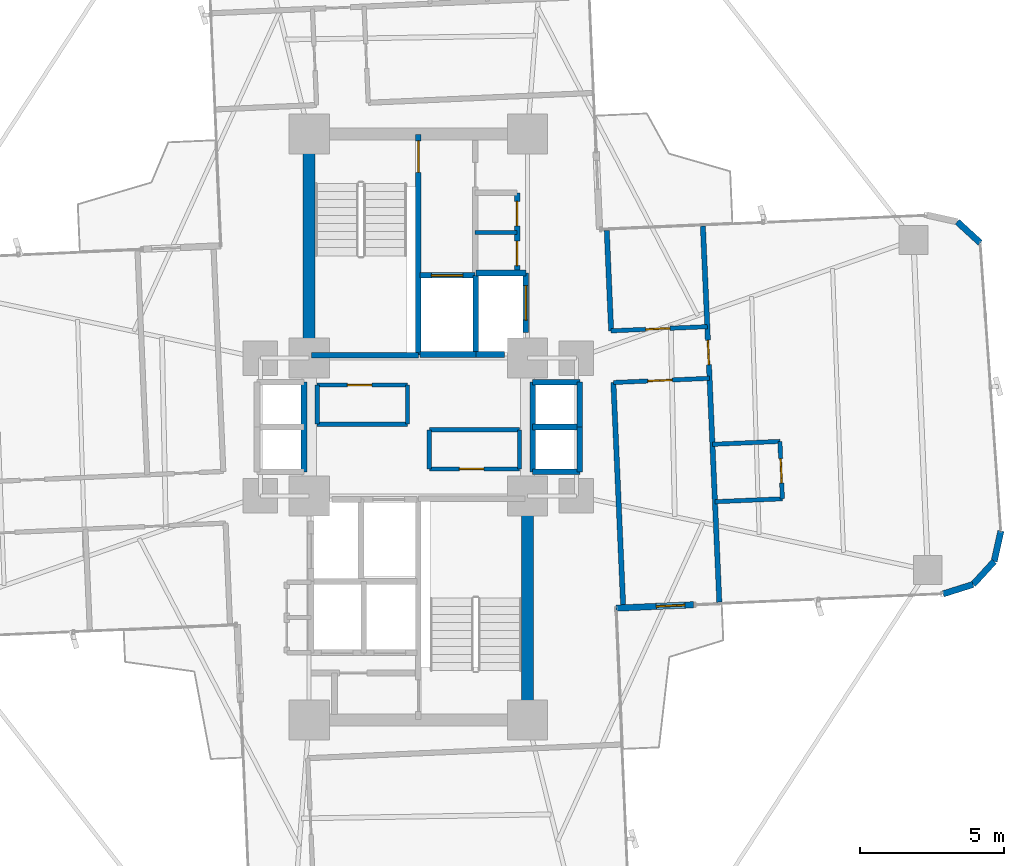
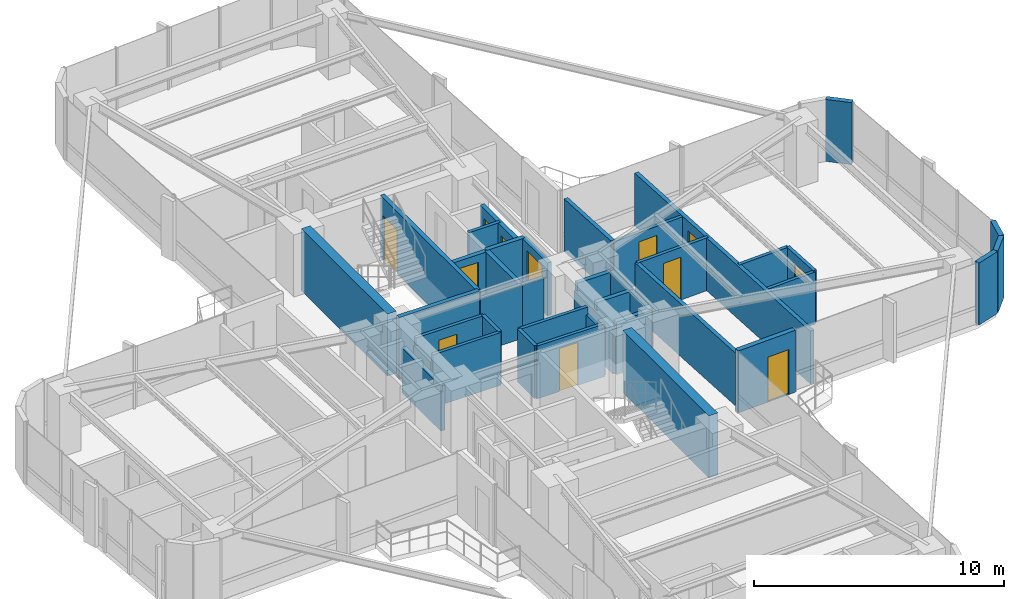
# One storey, part 24 of 26: 40 walls, 12 doors, 12 openings.
"""IFC4 building model written with IfcOpenShell, lengths in metres."""

from ifc_helpers import new_model, si_unit, direction, frame, frame_2d, origin, origin_2d, place, context, subcontext, project, spatial, rectangle, extrude, source, transform, mapped, material, layer, layer_set, type_object, element, fill, save


model = new_model("IFC4")

# Units and contexts
model_context = context("Model", 3, precision=1e-05, world=origin(), true_north=direction((0.0, 1.0)))
body_context = subcontext(model_context, "Body", "Model", "MODEL_VIEW")
ifc_project = project(units=[si_unit("LENGTHUNIT", "METRE"), si_unit("AREAUNIT", "SQUARE_METRE"), si_unit("VOLUMEUNIT", "CUBIC_METRE"), si_unit("PLANEANGLEUNIT", "RADIAN"), si_unit("MASSUNIT", "GRAM", prefix="KILO")], contexts=[model_context])

# Site, building, storey
site_placement = place(None, origin())
site = spatial("IfcSite", under=ifc_project, at=site_placement, CompositionType="ELEMENT")
building_placement = place(site_placement, origin())
building = spatial("IfcBuilding", under=site, at=building_placement, Name="Sahyath Konkavel Grand Hotel", CompositionType="ELEMENT")
storey_placement = place(building_placement, frame((0.0, 0.0, 134.89990234375)))
storey = spatial("IfcBuildingStorey", under=building, at=storey_placement, Name="L37", CompositionType="ELEMENT", Elevation=134.89990234375)

# Walls
ifc_material_1 = material(Name="Concrete C50/60", Category="concrete")
ifc_layer_1 = layer(ifc_material_1, 0.419921875)
ifc_layer_set_1 = layer_set([ifc_layer_1], Name="Concrete C50/60")
wall_type_1 = type_object("IfcWallType", Name="CWALL-420", PredefinedType="SHEAR", material=ifc_layer_set_1)
for number, where, z_axis, x_axis, name in (
    (1, (-3.800048828125, 2.85009765625, 0.0), (0.0, 0.0, 1.0), (0.0, 1.0, 0.0), "L37 North Core Shear Wall W"),
    (2, (3.800048828125, -9.75, 0.0), (0.0, 0.0, 1.0), (0.0, 1.0, 0.0), "L37 South Core Shear Wall E"),
):
    element("IfcWall", number, at=place(storey_placement, frame(where, z_axis=z_axis, x_axis=x_axis)), inside=storey, type_object=wall_type_1, Name=name, PredefinedType="SHEAR", context=body_context, shape_type="SweptSolid", body=[
        extrude(rectangle(XDim=6.89990234375, YDim=0.419921875, at=frame_2d((3.449951171875, 0.0))), origin(), (0.0, 0.0, 1.0), 3.030029296875),
    ])

# Wall, opening, door
ifc_material_2 = material(Name="Warm Buff Sandstone Insulated Concrete C40/50", Category="masonry")
ifc_layer_2 = layer(ifc_material_2, 0.219970703125)
ifc_layer_set_2 = layer_set([ifc_layer_2], Name="Warm Buff Sandstone Insulated Concrete C40/50")
wall_type_2 = type_object("IfcWallType", Name="WLL-BALC-THRESH", PredefinedType="STANDARD", material=ifc_layer_set_2)
wall_1_placement = place(storey_placement, frame((6.881591796875, -6.305908203125, 0.0), z_axis=(0.0, 0.0, 1.0), x_axis=(0.999045894436, 0.043672655174, 0.0)))
wall_1 = element("IfcWall", 3, at=wall_1_placement, inside=storey, type_object=wall_type_2, Name="L37 Winter-Garden Threshold Wall 0", PredefinedType="STANDARD", context=body_context, shape_type="SweptSolid", body=[
    extrude(rectangle(XDim=2.7001953125, YDim=0.219970703125, at=frame_2d((1.35009765625, 0.0))), origin(), (0.0, 0.0, 1.0), 3.030029296875),
])
opening_1_placement = place(wall_1_placement, frame((1.39990234375, 0.0, 0.0)))
opening_1 = element("IfcOpeningElement", 4, at=opening_1_placement, cuts=wall_1, Name="Opening D-TR1", PredefinedType="OPENING", context=body_context, shape_type="SweptSolid", body=[
    extrude(rectangle(XDim=1.0, YDim=2.199951171875, at=frame_2d((0.5, 1.10009765625))), frame((0.0, 0.1201171875, 0.0), z_axis=(0.0, -1.0, 0.0), x_axis=(1.0, 0.0, 0.0)), (0.0, 0.0, 1.0), 0.239990234375),
])
ifc_material_3 = material(Name="Anodised Bronze Aluminium & Low-E Glazing", Category="aluminium")
door_type_1 = type_object("IfcDoorType", Name="DR-TERRACE-1000", OperationType="NOTDEFINED", PredefinedType="DOOR", material=ifc_material_3)
shared_shape_1 = source(origin(), body_context, "Body", "SweptSolid", [
    extrude(rectangle(XDim=1.0, YDim=0.050048828125, at=origin_2d()), origin(), (0.0, 0.0, 1.0), 2.199951171875),
])
door_1_placement = place(opening_1_placement, frame((0.5, 0.0, 0.0)))
door_1 = element("IfcDoor", 5, at=door_1_placement, inside=storey, type_object=door_type_1, Name="L37 Winter-Garden Terrace Door 0", OperationType="SINGLE_SWING_LEFT", OverallHeight=2.199951171875, OverallWidth=1.0, PredefinedType="DOOR", context=body_context, shape_type="MappedRepresentation", body=[
    mapped(shared_shape_1, transform((0.0, 0.0, 0.0), scale=1.0)),
])
fill(opening_1, door_1)

# Walls
for number, where, z_axis, x_axis, name in (
    (6, (18.270751953125, -5.80859375, 0.0), (0.0, 0.0, 1.0), (0.953721713582, 0.30069069331, 0.0), "L37 Rounded Corner Sandstone Pier 1"),
    (7, (19.3076171875, -5.481689453125, 0.0), (0.0, 0.0, 1.0), (0.675551721847, 0.737312600672, 0.0), "L37 Rounded Corner Sandstone Pier 2"),
):
    element("IfcWall", number, at=place(storey_placement, frame(where, z_axis=z_axis, x_axis=x_axis)), inside=storey, type_object=wall_type_2, Name=name, PredefinedType="STANDARD", context=body_context, shape_type="SweptSolid", body=[
        extrude(rectangle(XDim=1.087158203125, YDim=0.219970703125, at=frame_2d((0.54345703125, 0.0))), origin(), (0.0, 0.0, 1.0), 3.030029296875),
    ])
for number, where, z_axis, x_axis, name in (
    (8, (20.0419921875, -4.68017578125, 0.0), (0.0, 0.0, 1.0), (0.216288323511, 0.976329535102, 0.0), "L37 Rounded Corner Sandstone Pier 3"),
    (9, (19.5576171875, 6.4091796875, 0.0), (0.0, 0.0, 1.0), (-0.737210081318, 0.675663596772, 0.0), "L37 Rounded Corner Sandstone Pier 5"),
):
    element("IfcWall", number, at=place(storey_placement, frame(where, z_axis=z_axis, x_axis=x_axis)), inside=storey, type_object=wall_type_2, Name=name, PredefinedType="STANDARD", context=body_context, shape_type="SweptSolid", body=[
        extrude(rectangle(XDim=1.0869140625, YDim=0.219970703125, at=frame_2d((0.54345703125, 0.0))), origin(), (0.0, 0.0, 1.0), 3.030029296875),
    ])

# Wall, opening, door
ifc_material_4 = material(Name="Concrete C40/50", Category="concrete")
ifc_layer_3 = layer(ifc_material_4, 0.199951171875)
ifc_layer_set_3 = layer_set([ifc_layer_3], Name="Concrete C40/50")
wall_type_3 = type_object("IfcWallType", Name="WLL-CORE-200", PredefinedType="SOLIDWALL", material=ifc_layer_set_3)
wall_2_placement = place(storey_placement, frame((0.0, 2.5, 0.0), z_axis=(0.0, 0.0, 1.0), x_axis=(0.0, 1.0, 0.0)))
wall_2 = element("IfcWall", 10, at=wall_2_placement, inside=storey, type_object=wall_type_3, Name="L37 Stair ST-1 Shaft Wall E", PredefinedType="SOLIDWALL", context=body_context, shape_type="SweptSolid", body=[
    extrude(rectangle(XDim=7.679931640625, YDim=0.199951171875, at=frame_2d((3.83984375, 0.0))), origin(), (0.0, 0.0, 1.0), 3.030029296875),
])
opening_2_placement = place(wall_2_placement, frame((6.360107421875, 0.0, 0.0)))
opening_2 = element("IfcOpeningElement", 11, at=opening_2_placement, cuts=wall_2, Name="Opening D-F12B", PredefinedType="OPENING", context=body_context, shape_type="SweptSolid", body=[
    extrude(rectangle(XDim=1.10009765625, YDim=2.14990234375, at=frame_2d((0.550048828125, 1.074951171875))), frame((0.0, 0.10986328125, 0.0), z_axis=(0.0, -1.0, 0.0), x_axis=(1.0, 0.0, 0.0)), (0.0, 0.0, 1.0), 0.219970703125),
])
ifc_material_5 = material(Name="Steel E350 Smokeproof Fire Door", Category="steel")
door_type_2 = type_object("IfcDoorType", Name="DR-FD120-1100", OperationType="NOTDEFINED", PredefinedType="DOOR", material=ifc_material_5)
shared_shape_2 = source(origin(), body_context, "Body", "SweptSolid", [
    extrude(rectangle(XDim=1.10009765625, YDim=0.050048828125, at=origin_2d()), origin(), (0.0, 0.0, 1.0), 2.14990234375),
])
door_2_placement = place(opening_2_placement, frame((0.550048828125, 0.0, 0.0)))
door_2 = element("IfcDoor", 12, at=door_2_placement, inside=storey, type_object=door_type_2, Name="L37 Stair ST-1 Fire Door", OperationType="SINGLE_SWING_LEFT", OverallHeight=2.14990234375, OverallWidth=1.10009765625, PredefinedType="DOOR", context=body_context, shape_type="MappedRepresentation", body=[
    mapped(shared_shape_2, transform((0.0, 0.0, 0.0), scale=1.0)),
])
fill(opening_2, door_2)

# Walls
wall_3_placement = place(storey_placement, frame((-3.719970703125, 2.5, 0.0), z_axis=(0.0, 0.0, 1.0), x_axis=(1.0, 0.0, 0.0)))
element("IfcWall", 13, at=wall_3_placement, inside=storey, type_object=wall_type_3, Name="L37 Stair ST-1 Shaft Wall S", PredefinedType="SOLIDWALL", context=body_context, shape_type="SweptSolid", body=[
    extrude(rectangle(XDim=3.719970703125, YDim=0.199951171875, at=frame_2d((1.85986328125, 0.0))), origin(), (0.0, 0.0, 1.0), 3.030029296875),
])
wall_4_placement = place(storey_placement, frame((2.0, 2.5, 0.0), z_axis=(0.0, 0.0, 1.0), x_axis=(0.0, 1.0, 0.0)))
element("IfcWall", 14, at=wall_4_placement, inside=storey, type_object=wall_type_3, Name="L37 Partition SH-FFL1-E", PredefinedType="SOLIDWALL", context=body_context, shape_type="SweptSolid", body=[
    extrude(rectangle(XDim=2.780029296875, YDim=0.199951171875, at=frame_2d((1.39013671875, 0.0))), origin(), (0.0, 0.0, 1.0), 2.580078125),
])
wall_5_placement = place(storey_placement, frame((0.050048828125, 2.52001953125, 0.0), z_axis=(0.0, 0.0, 1.0), x_axis=(1.0, 0.0, 0.0)))
element("IfcWall", 15, at=wall_5_placement, inside=storey, type_object=wall_type_3, Name="L37 Partition SH-FFL1-S", PredefinedType="SOLIDWALL", context=body_context, shape_type="SweptSolid", body=[
    extrude(rectangle(XDim=1.949951171875, YDim=0.199951171875, at=frame_2d((0.97509765625, 0.0))), origin(), (0.0, 0.0, 1.0), 2.580078125),
])

# Wall, opening, door
wall_6_placement = place(storey_placement, frame((0.050048828125, 5.280029296875, 0.0), z_axis=(0.0, 0.0, 1.0), x_axis=(1.0, 0.0, 0.0)))
wall_6 = element("IfcWall", 16, at=wall_6_placement, inside=storey, type_object=wall_type_3, Name="L37 Partition SH-FFL1-N", PredefinedType="SOLIDWALL", context=body_context, shape_type="SweptSolid", body=[
    extrude(rectangle(XDim=1.929931640625, YDim=0.199951171875, at=frame_2d((0.96484375, 0.0))), origin(), (0.0, 0.0, 1.0), 2.580078125),
])
opening_3_placement = place(wall_6_placement, frame((0.39990234375, 0.0, 0.0)))
opening_3 = element("IfcOpeningElement", 17, at=opening_3_placement, cuts=wall_6, Name="Opening LD-11", PredefinedType="OPENING", context=body_context, shape_type="SweptSolid", body=[
    extrude(rectangle(XDim=1.10009765625, YDim=2.199951171875, at=frame_2d((0.550048828125, 1.10009765625))), frame((0.0, 0.10986328125, 0.0), z_axis=(0.0, -1.0, 0.0), x_axis=(1.0, 0.0, 0.0)), (0.0, 0.0, 1.0), 0.219970703125),
])
ifc_material_6 = material(Name="Bronze Lift Landing Door 1100")
door_type_3 = type_object("IfcDoorType", Name="DR-LIFT-1100", OperationType="DOUBLE_DOOR_SLIDING", PredefinedType="DOOR", material=ifc_material_6)
shared_shape_3 = source(origin(), body_context, "Body", "SweptSolid", [
    extrude(rectangle(XDim=1.10009765625, YDim=0.050048828125, at=origin_2d()), origin(), (0.0, 0.0, 1.0), 2.199951171875),
])
door_3_placement = place(opening_3_placement, frame((0.550048828125, 0.0, 0.0)))
door_3 = element("IfcDoor", 18, at=door_3_placement, inside=storey, type_object=door_type_3, Name="L37 Lift FFL-1 Landing Door", OperationType="DOUBLE_DOOR_SLIDING", OverallHeight=2.199951171875, OverallWidth=1.10009765625, PredefinedType="DOOR", context=body_context, shape_type="MappedRepresentation", body=[
    mapped(shared_shape_3, transform((0.0, 0.0, 0.0), scale=1.0)),
])
fill(opening_3, door_3)

# Walls
wall_7_placement = place(storey_placement, frame((2.0, 2.52001953125, 0.0), z_axis=(0.0, 0.0, 1.0), x_axis=(1.0, 0.0, 0.0)))
element("IfcWall", 19, at=wall_7_placement, inside=storey, type_object=wall_type_3, Name="L37 Partition SH-SVL1-S", PredefinedType="SOLIDWALL", context=body_context, shape_type="SweptSolid", body=[
    extrude(rectangle(XDim=1.0, YDim=0.199951171875, at=frame_2d((0.5, 0.0))), origin(), (0.0, 0.0, 1.0), 2.580078125),
])
wall_8_placement = place(storey_placement, frame((2.0, 5.360107421875, 0.0), z_axis=(0.0, 0.0, 1.0), x_axis=(1.0, 0.0, 0.0)))
element("IfcWall", 20, at=wall_8_placement, inside=storey, type_object=wall_type_3, Name="L37 Partition SH-SVL1-N", PredefinedType="SOLIDWALL", context=body_context, shape_type="SweptSolid", body=[
    extrude(rectangle(XDim=1.739990234375, YDim=0.199951171875, at=frame_2d((0.8701171875, 0.0))), origin(), (0.0, 0.0, 1.0), 2.580078125),
])

# Wall, opening, door
wall_9_placement = place(storey_placement, frame((3.739990234375, 3.280029296875, 0.0), z_axis=(0.0, 0.0, 1.0), x_axis=(0.0, 1.0, 0.0)))
wall_9 = element("IfcWall", 21, at=wall_9_placement, inside=storey, type_object=wall_type_3, Name="L37 Partition SH-SVL1-E", PredefinedType="SOLIDWALL", context=body_context, shape_type="SweptSolid", body=[
    extrude(rectangle(XDim=2.080078125, YDim=0.199951171875, at=frame_2d((1.0400390625, 0.0))), origin(), (0.0, 0.0, 1.0), 2.580078125),
])
opening_4_placement = place(wall_9_placement, frame((0.43994140625, 0.0, 0.0)))
opening_4 = element("IfcOpeningElement", 22, at=opening_4_placement, cuts=wall_9, Name="Opening LD-12", PredefinedType="OPENING", context=body_context, shape_type="SweptSolid", body=[
    extrude(rectangle(XDim=1.199951171875, YDim=2.199951171875, at=frame_2d((0.60009765625, 1.10009765625))), frame((0.0, 0.10986328125, 0.0), z_axis=(0.0, -1.0, 0.0), x_axis=(1.0, 0.0, 0.0)), (0.0, 0.0, 1.0), 0.219970703125),
])
ifc_material_7 = material(Name="Stainless Steel Lift Landing Door 1200", Category="steel")
door_type_4 = type_object("IfcDoorType", Name="DR-LIFT-1200", OperationType="DOUBLE_DOOR_SLIDING", PredefinedType="DOOR", material=ifc_material_7)
shared_shape_4 = source(origin(), body_context, "Body", "SweptSolid", [
    extrude(rectangle(XDim=1.199951171875, YDim=0.050048828125, at=origin_2d()), origin(), (0.0, 0.0, 1.0), 2.199951171875),
])
door_4_placement = place(opening_4_placement, frame((0.60009765625, 0.0, 0.0)))
door_4 = element("IfcDoor", 23, at=door_4_placement, inside=storey, type_object=door_type_4, Name="L37 Service Lift SVL-1 Landing Door", OperationType="DOUBLE_DOOR_SLIDING", OverallHeight=2.199951171875, OverallWidth=1.199951171875, PredefinedType="DOOR", context=body_context, shape_type="MappedRepresentation", body=[
    mapped(shared_shape_4, transform((0.0, 0.0, 0.0), scale=1.0)),
])
fill(opening_4, door_4)

# Walls
wall_10_placement = place(storey_placement, frame((3.97998046875, -1.56005859375, 0.0), z_axis=(0.0, 0.0, 1.0), x_axis=(0.0, 1.0, 0.0)))
element("IfcWall", 24, at=wall_10_placement, inside=storey, type_object=wall_type_3, Name="L37 Partition SH-PL56-W", PredefinedType="SOLIDWALL", context=body_context, shape_type="SweptSolid", body=[
    extrude(rectangle(XDim=3.1201171875, YDim=0.199951171875, at=frame_2d((1.56005859375, 0.0))), origin(), (0.0, 0.0, 1.0), 2.2001953125),
])
for number, where, z_axis, x_axis, name in (
    (25, (3.97998046875, 1.56005859375, 0.0), (0.0, 0.0, 1.0), (1.0, 0.0, 0.0), "L37 Partition SH-PL56-N"),
    (26, (3.97998046875, -1.56005859375, 0.0), (0.0, 0.0, 1.0), (1.0, 0.0, 0.0), "L37 Partition SH-PL56-S"),
    (27, (3.97998046875, 0.0, 0.0), (0.0, 0.0, 1.0), (1.0, 0.0, 0.0), "L37 Partition SH-PL56-M"),
):
    element("IfcWall", number, at=place(storey_placement, frame(where, z_axis=z_axis, x_axis=x_axis)), inside=storey, type_object=wall_type_3, Name=name, PredefinedType="SOLIDWALL", context=body_context, shape_type="SweptSolid", body=[
        extrude(rectangle(XDim=1.64013671875, YDim=0.199951171875, at=frame_2d((0.820068359375, 0.0))), origin(), (0.0, 0.0, 1.0), 2.580078125),
    ])
for number, where, z_axis, x_axis, name in (
    (28, (5.6201171875, 0.0, 0.0), (0.0, 0.0, 1.0), (0.0, 1.0, 0.0), "L37 Partition SH-PL5-E"),
    (29, (5.6201171875, -1.56005859375, 0.0), (0.0, 0.0, 1.0), (0.0, 1.0, 0.0), "L37 Partition SH-PL6-E"),
):
    element("IfcWall", number, at=place(storey_placement, frame(where, z_axis=z_axis, x_axis=x_axis)), inside=storey, type_object=wall_type_3, Name=name, PredefinedType="SOLIDWALL", context=body_context, shape_type="SweptSolid", body=[
        extrude(rectangle(XDim=1.56005859375, YDim=0.199951171875, at=frame_2d((0.780029296875, 0.0))), origin(), (0.0, 0.0, 1.0), 2.580078125),
    ])
wall_11_placement = place(storey_placement, frame((-3.97998046875, -1.56005859375, 0.0), z_axis=(0.0, 0.0, 1.0), x_axis=(0.0, 1.0, 0.0)))
element("IfcWall", 30, at=wall_11_placement, inside=storey, type_object=wall_type_3, Name="L37 Partition SH-SL12-E", PredefinedType="SOLIDWALL", context=body_context, shape_type="SweptSolid", body=[
    extrude(rectangle(XDim=3.1201171875, YDim=0.199951171875, at=frame_2d((1.56005859375, 0.0))), origin(), (0.0, 0.0, 1.0), 2.2001953125),
])

# Wall, openings, doors
wall_12_placement = place(storey_placement, frame((3.43994140625, 5.3798828125, 0.0), z_axis=(0.0, 0.0, 1.0), x_axis=(0.0, 1.0, 0.0)))
wall_12 = element("IfcWall", 31, at=wall_12_placement, inside=storey, type_object=wall_type_3, Name="L37 Reclaimed North Core Wall E", PredefinedType="SOLIDWALL", context=body_context, shape_type="SweptSolid", body=[
    extrude(rectangle(XDim=2.77001953125, YDim=0.199951171875, at=frame_2d((1.385009765625, 0.0))), origin(), (0.0, 0.0, 1.0), 2.580078125),
])
opening_5_placement = place(wall_12_placement, frame((0.239990234375, 0.0, 0.0)))
opening_5 = element("IfcOpeningElement", 32, at=opening_5_placement, cuts=wall_12, Name="Opening D-F06D", PredefinedType="OPENING", context=body_context, shape_type="SweptSolid", body=[
    extrude(rectangle(XDim=0.85009765625, YDim=2.10009765625, at=frame_2d((0.425048828125, 1.050048828125))), frame((0.0, 0.10986328125, 0.0), z_axis=(0.0, -1.0, 0.0), x_axis=(1.0, 0.0, 0.0)), (0.0, 0.0, 1.0), 0.219970703125),
])
opening_6_placement = place(wall_12_placement, frame((1.6201171875, 0.0, 0.0)))
opening_6 = element("IfcOpeningElement", 33, at=opening_6_placement, cuts=wall_12, Name="Opening D-F06D", PredefinedType="OPENING", context=body_context, shape_type="SweptSolid", body=[
    extrude(rectangle(XDim=0.85009765625, YDim=2.10009765625, at=frame_2d((0.425048828125, 1.050048828125))), frame((0.0, 0.10986328125, 0.0), z_axis=(0.0, -1.0, 0.0), x_axis=(1.0, 0.0, 0.0)), (0.0, 0.0, 1.0), 0.219970703125),
])
ifc_material_8 = material(Name="Fire-Rated Shaft Access Door")
door_type_5 = type_object("IfcDoorType", Name="DR-FD60-850", OperationType="NOTDEFINED", PredefinedType="DOOR", material=ifc_material_8)
shared_shape_5 = source(origin(), body_context, "Body", "SweptSolid", [
    extrude(rectangle(XDim=0.85009765625, YDim=0.050048828125, at=origin_2d()), origin(), (0.0, 0.0, 1.0), 2.10009765625),
])
door_5_placement = place(opening_5_placement, frame((0.425048828125, 0.0, 0.0)))
door_5 = element("IfcDoor", 34, at=door_5_placement, inside=storey, type_object=door_type_5, Name="L37 Door NC-REC1-D", OperationType="SINGLE_SWING_RIGHT", OverallHeight=2.10009765625, OverallWidth=0.85009765625, PredefinedType="DOOR", context=body_context, shape_type="MappedRepresentation", body=[
    mapped(shared_shape_5, transform((0.0, 0.0, 0.0), scale=1.0)),
])
fill(opening_5, door_5)
door_6_placement = place(opening_6_placement, frame((0.425048828125, 0.0, 0.0)))
door_6 = element("IfcDoor", 35, at=door_6_placement, inside=storey, type_object=door_type_5, Name="L37 Door NC-REC2-D", OperationType="SINGLE_SWING_LEFT", OverallHeight=2.10009765625, OverallWidth=0.85009765625, PredefinedType="DOOR", context=body_context, shape_type="MappedRepresentation", body=[
    mapped(shared_shape_5, transform((0.0, 0.0, 0.0), scale=1.0)),
])
fill(opening_6, door_6)

# Walls
ifc_material_9 = material(Name="Twin-Stud Acoustic Gypsum Plasterboard Partition")
ifc_layer_4 = layer(ifc_material_9, 0.179931640625)
ifc_layer_set_4 = layer_set([ifc_layer_4], Name="Twin-Stud Acoustic Gypsum Plasterboard Partition")
wall_type_4 = type_object("IfcWallType", Name="WLL-DEMISE-180", PredefinedType="PARTITIONING", material=ifc_layer_set_4)
wall_13_placement = place(storey_placement, frame((6.71044921875, 3.345947265625, 0.0), z_axis=(0.0, 0.0, 1.0), x_axis=(-0.043597663116, 0.999049169846, 0.0)))
element("IfcWall", 36, at=wall_13_placement, inside=storey, type_object=wall_type_4, Name="L37 Partition E-INL", PredefinedType="PARTITIONING", context=body_context, shape_type="SweptSolid", body=[
    extrude(rectangle(XDim=3.5, YDim=0.179931640625, at=frame_2d((1.75, 0.0))), origin(), (0.0, 0.0, 1.0), 2.580078125),
])
wall_14_placement = place(storey_placement, frame((7.129150390625, -6.2451171875, 0.0), z_axis=(0.0, 0.0, 1.0), x_axis=(-0.043600217373, 0.999049058378, 0.0)))
element("IfcWall", 37, at=wall_14_placement, inside=storey, type_object=wall_type_4, Name="L37 Partition E-INR", PredefinedType="PARTITIONING", context=body_context, shape_type="SweptSolid", body=[
    extrude(rectangle(XDim=7.800048828125, YDim=0.179931640625, at=frame_2d((3.89990234375, 0.0))), origin(), (0.0, 0.0, 1.0), 2.580078125),
])

# Wall, opening, door
wall_15_placement = place(storey_placement, frame((10.47607421875, -6.098876953125, 0.0), z_axis=(0.0, 0.0, 1.0), x_axis=(-0.043628089563, 0.999047841598, 0.0)))
wall_15 = element("IfcWall", 38, at=wall_15_placement, inside=storey, type_object=wall_type_4, Name="L37 Partition E-ETIP-END", PredefinedType="PARTITIONING", context=body_context, shape_type="SweptSolid", body=[
    extrude(rectangle(XDim=13.10009765625, YDim=0.179931640625, at=frame_2d((6.550048828125, 0.0))), origin(), (0.0, 0.0, 1.0), 2.580078125),
])
opening_7_placement = place(wall_15_placement, frame((8.27490234375, 0.0, 0.0)))
opening_7 = element("IfcOpeningElement", 39, at=opening_7_placement, cuts=wall_15, Name="Opening D-F06D", PredefinedType="OPENING", context=body_context, shape_type="SweptSolid", body=[
    extrude(rectangle(XDim=0.85009765625, YDim=2.10009765625, at=frame_2d((0.425048828125, 1.050048828125))), frame((0.0, 0.10009765625, 0.0), z_axis=(0.0, -1.0, 0.0), x_axis=(1.0, 0.0, 0.0)), (0.0, 0.0, 1.0), 0.199951171875),
])
door_7_placement = place(opening_7_placement, frame((0.425048828125, 0.0, 0.0)))
door_7 = element("IfcDoor", 40, at=door_7_placement, inside=storey, type_object=door_type_5, Name="L37 Door E-ETIP-ED", OperationType="SINGLE_SWING_LEFT", OverallHeight=2.10009765625, OverallWidth=0.85009765625, PredefinedType="DOOR", context=body_context, shape_type="MappedRepresentation", body=[
    mapped(shared_shape_5, transform((0.0, 0.0, 0.0), scale=1.0)),
])
fill(opening_7, door_7)

# Walls
ifc_material_10 = material(Name="Fire-Rated Gypsum Plasterboard Partition")
ifc_layer_5 = layer(ifc_material_10, 0.14990234375)
ifc_layer_set_5 = layer_set([ifc_layer_5], Name="Fire-Rated Gypsum Plasterboard Partition")
wall_type_5 = type_object("IfcWallType", Name="WLL-PART-150", PredefinedType="PARTITIONING", material=ifc_layer_set_5)
wall_16_placement = place(storey_placement, frame((1.97998046875, 6.77001953125, 0.0), z_axis=(0.0, 0.0, 1.0), x_axis=(1.0, 0.0, 0.0)))
element("IfcWall", 41, at=wall_16_placement, inside=storey, type_object=wall_type_5, Name="L37 Partition NC-REC-M1", PredefinedType="PARTITIONING", context=body_context, shape_type="SweptSolid", body=[
    extrude(rectangle(XDim=1.4599609375, YDim=0.14990234375, at=frame_2d((0.72998046875, 0.0))), origin(), (0.0, 0.0, 1.0), 2.580078125),
])
wall_17_placement = place(storey_placement, frame((-3.52001953125, 0.10009765625, 0.0), z_axis=(0.0, 0.0, 1.0), x_axis=(1.0, 0.0, 0.0)))
element("IfcWall", 42, at=wall_17_placement, inside=storey, type_object=wall_type_5, Name="L37 Partition CC-3NWS", PredefinedType="PARTITIONING", context=body_context, shape_type="SweptSolid", body=[
    extrude(rectangle(XDim=3.14013671875, YDim=0.14990234375, at=frame_2d((1.570068359375, 0.0))), origin(), (0.0, 0.0, 1.0), 2.580078125),
])

# Wall, opening, door
wall_18_placement = place(storey_placement, frame((-3.52001953125, 1.4599609375, 0.0), z_axis=(0.0, 0.0, 1.0), x_axis=(1.0, 0.0, 0.0)))
wall_18 = element("IfcWall", 43, at=wall_18_placement, inside=storey, type_object=wall_type_5, Name="L37 Partition CC-3NWN", PredefinedType="PARTITIONING", context=body_context, shape_type="SweptSolid", body=[
    extrude(rectangle(XDim=3.14013671875, YDim=0.14990234375, at=frame_2d((1.570068359375, 0.0))), origin(), (0.0, 0.0, 1.0), 2.580078125),
])
opening_8_placement = place(wall_18_placement, frame((1.050048828125, 0.0, 0.0)))
opening_8 = element("IfcOpeningElement", 44, at=opening_8_placement, cuts=wall_18, Name="Opening D-F06D", PredefinedType="OPENING", context=body_context, shape_type="SweptSolid", body=[
    extrude(rectangle(XDim=0.85009765625, YDim=2.10009765625, at=frame_2d((0.425048828125, 1.050048828125))), frame((0.0, 0.0849609375, 0.0), z_axis=(0.0, -1.0, 0.0), x_axis=(1.0, 0.0, 0.0)), (0.0, 0.0, 1.0), 0.169921875),
])
door_8_placement = place(opening_8_placement, frame((0.425048828125, 0.0, 0.0)))
door_8 = element("IfcDoor", 45, at=door_8_placement, inside=storey, type_object=door_type_5, Name="L37 Door CC-D3NW", OperationType="SINGLE_SWING_RIGHT", OverallHeight=2.10009765625, OverallWidth=0.85009765625, PredefinedType="DOOR", context=body_context, shape_type="MappedRepresentation", body=[
    mapped(shared_shape_5, transform((0.0, 0.0, 0.0), scale=1.0)),
])
fill(opening_8, door_8)

# Walls
wall_19_placement = place(storey_placement, frame((-3.52001953125, 0.10009765625, 0.0), z_axis=(0.0, 0.0, 1.0), x_axis=(0.0, 1.0, 0.0)))
element("IfcWall", 46, at=wall_19_placement, inside=storey, type_object=wall_type_5, Name="L37 Partition CC-3NWW", PredefinedType="PARTITIONING", context=body_context, shape_type="SweptSolid", body=[
    extrude(rectangle(XDim=1.35986328125, YDim=0.14990234375, at=frame_2d((0.679931640625, 0.0))), origin(), (0.0, 0.0, 1.0), 2.2001953125),
])
wall_20_placement = place(storey_placement, frame((-0.3798828125, 0.10009765625, 0.0), z_axis=(0.0, 0.0, 1.0), x_axis=(0.0, 1.0, 0.0)))
element("IfcWall", 47, at=wall_20_placement, inside=storey, type_object=wall_type_5, Name="L37 Partition CC-3NWE", PredefinedType="PARTITIONING", context=body_context, shape_type="SweptSolid", body=[
    extrude(rectangle(XDim=1.35986328125, YDim=0.14990234375, at=frame_2d((0.679931640625, 0.0))), origin(), (0.0, 0.0, 1.0), 2.580078125),
])
wall_21_placement = place(storey_placement, frame((0.3798828125, -0.10009765625, 0.0), z_axis=(0.0, 0.0, 1.0), x_axis=(1.0, 0.0, 0.0)))
element("IfcWall", 48, at=wall_21_placement, inside=storey, type_object=wall_type_5, Name="L37 Partition CC-3SEN", PredefinedType="PARTITIONING", context=body_context, shape_type="SweptSolid", body=[
    extrude(rectangle(XDim=3.14013671875, YDim=0.14990234375, at=frame_2d((1.570068359375, 0.0))), origin(), (0.0, 0.0, 1.0), 2.580078125),
])

# Wall, opening, door
wall_22_placement = place(storey_placement, frame((0.3798828125, -1.4599609375, 0.0), z_axis=(0.0, 0.0, 1.0), x_axis=(1.0, 0.0, 0.0)))
wall_22 = element("IfcWall", 49, at=wall_22_placement, inside=storey, type_object=wall_type_5, Name="L37 Partition CC-3SES", PredefinedType="PARTITIONING", context=body_context, shape_type="SweptSolid", body=[
    extrude(rectangle(XDim=3.14013671875, YDim=0.14990234375, at=frame_2d((1.570068359375, 0.0))), origin(), (0.0, 0.0, 1.0), 2.580078125),
])
opening_9_placement = place(wall_22_placement, frame((1.050048828125, 0.0, 0.0)))
opening_9 = element("IfcOpeningElement", 50, at=opening_9_placement, cuts=wall_22, Name="Opening D-F06D", PredefinedType="OPENING", context=body_context, shape_type="SweptSolid", body=[
    extrude(rectangle(XDim=0.85009765625, YDim=2.10009765625, at=frame_2d((0.425048828125, 1.050048828125))), frame((0.0, 0.0849609375, 0.0), z_axis=(0.0, -1.0, 0.0), x_axis=(1.0, 0.0, 0.0)), (0.0, 0.0, 1.0), 0.169921875),
])
door_9_placement = place(opening_9_placement, frame((0.425048828125, 0.0, 0.0)))
door_9 = element("IfcDoor", 51, at=door_9_placement, inside=storey, type_object=door_type_5, Name="L37 Door CC-D3SE", OperationType="SINGLE_SWING_LEFT", OverallHeight=2.10009765625, OverallWidth=0.85009765625, PredefinedType="DOOR", context=body_context, shape_type="MappedRepresentation", body=[
    mapped(shared_shape_5, transform((0.0, 0.0, 0.0), scale=1.0)),
])
fill(opening_9, door_9)

# Walls
wall_23_placement = place(storey_placement, frame((0.3798828125, -1.4599609375, 0.0), z_axis=(0.0, 0.0, 1.0), x_axis=(0.0, 1.0, 0.0)))
element("IfcWall", 52, at=wall_23_placement, inside=storey, type_object=wall_type_5, Name="L37 Partition CC-3SEW", PredefinedType="PARTITIONING", context=body_context, shape_type="SweptSolid", body=[
    extrude(rectangle(XDim=1.35986328125, YDim=0.14990234375, at=frame_2d((0.679931640625, 0.0))), origin(), (0.0, 0.0, 1.0), 2.580078125),
])
wall_24_placement = place(storey_placement, frame((3.52001953125, -1.4599609375, 0.0), z_axis=(0.0, 0.0, 1.0), x_axis=(0.0, 1.0, 0.0)))
element("IfcWall", 53, at=wall_24_placement, inside=storey, type_object=wall_type_5, Name="L37 Partition CC-3SEE", PredefinedType="PARTITIONING", context=body_context, shape_type="SweptSolid", body=[
    extrude(rectangle(XDim=1.35986328125, YDim=0.14990234375, at=frame_2d((0.679931640625, 0.0))), origin(), (0.0, 0.0, 1.0), 2.2001953125),
])

# Wall, opening, door
wall_25_placement = place(storey_placement, frame((6.71044921875, 3.345947265625, 0.0), z_axis=(0.0, 0.0, 1.0), x_axis=(0.999049960678, 0.043579537274, 0.0)))
wall_25 = element("IfcWall", 54, at=wall_25_placement, inside=storey, type_object=wall_type_5, Name="L37 Partition E-CL", PredefinedType="PARTITIONING", context=body_context, shape_type="SweptSolid", body=[
    extrude(rectangle(XDim=3.35009765625, YDim=0.14990234375, at=frame_2d((1.675048828125, 0.0))), origin(), (0.0, 0.0, 1.0), 2.550048828125),
])
opening_10_placement = place(wall_25_placement, frame((1.199951171875, 0.0, 0.0)))
opening_10 = element("IfcOpeningElement", 55, at=opening_10_placement, cuts=wall_25, Name="Opening D-F06D", PredefinedType="OPENING", context=body_context, shape_type="SweptSolid", body=[
    extrude(rectangle(XDim=0.85009765625, YDim=2.10009765625, at=frame_2d((0.425048828125, 1.050048828125))), frame((0.0, 0.0849609375, 0.0), z_axis=(0.0, -1.0, 0.0), x_axis=(1.0, 0.0, 0.0)), (0.0, 0.0, 1.0), 0.169921875),
])
door_10_placement = place(opening_10_placement, frame((0.425048828125, 0.0, 0.0)))
door_10 = element("IfcDoor", 56, at=door_10_placement, inside=storey, type_object=door_type_5, Name="L37 Door E-ES3L-D", OperationType="SINGLE_SWING_RIGHT", OverallHeight=2.10009765625, OverallWidth=0.85009765625, PredefinedType="DOOR", context=body_context, shape_type="MappedRepresentation", body=[
    mapped(shared_shape_5, transform((0.0, 0.0, 0.0), scale=1.0)),
])
fill(opening_10, door_10)

wall_26_placement = place(storey_placement, frame((6.7890625, 1.547607421875, 0.0), z_axis=(0.0, 0.0, 1.0), x_axis=(0.99904982226, 0.043582710367, 0.0)))
wall_26 = element("IfcWall", 57, at=wall_26_placement, inside=storey, type_object=wall_type_5, Name="L37 Partition E-CR", PredefinedType="PARTITIONING", context=body_context, shape_type="SweptSolid", body=[
    extrude(rectangle(XDim=3.349853515625, YDim=0.14990234375, at=frame_2d((1.6748046875, 0.0))), origin(), (0.0, 0.0, 1.0), 2.580078125),
])
opening_11_placement = place(wall_26_placement, frame((1.199951171875, 0.0, 0.0)))
opening_11 = element("IfcOpeningElement", 58, at=opening_11_placement, cuts=wall_26, Name="Opening D-F06D", PredefinedType="OPENING", context=body_context, shape_type="SweptSolid", body=[
    extrude(rectangle(XDim=0.85009765625, YDim=2.10009765625, at=frame_2d((0.425048828125, 1.050048828125))), frame((0.0, 0.0849609375, 0.0), z_axis=(0.0, -1.0, 0.0), x_axis=(1.0, 0.0, 0.0)), (0.0, 0.0, 1.0), 0.169921875),
])
door_11_placement = place(opening_11_placement, frame((0.425048828125, 0.0, 0.0)))
door_11 = element("IfcDoor", 59, at=door_11_placement, inside=storey, type_object=door_type_5, Name="L37 Door E-ES3R-D", OperationType="SINGLE_SWING_LEFT", OverallHeight=2.10009765625, OverallWidth=0.85009765625, PredefinedType="DOOR", context=body_context, shape_type="MappedRepresentation", body=[
    mapped(shared_shape_5, transform((0.0, 0.0, 0.0), scale=1.0)),
])
fill(opening_11, door_11)

# Walls
wall_27_placement = place(storey_placement, frame((10.236083984375, -0.60400390625, 0.0), z_axis=(0.0, 0.0, 1.0), x_axis=(0.999052234136, 0.043527387554, 0.0)))
element("IfcWall", 60, at=wall_27_placement, inside=storey, type_object=wall_type_5, Name="L37 Partition E-ETIP-BN", PredefinedType="PARTITIONING", context=body_context, shape_type="SweptSolid", body=[
    extrude(rectangle(XDim=2.35009765625, YDim=0.14990234375, at=frame_2d((1.175048828125, 0.0))), origin(), (0.0, 0.0, 1.0), 2.580078125),
])
wall_28_placement = place(storey_placement, frame((10.3232421875, -2.602294921875, 0.0), z_axis=(0.0, 0.0, 1.0), x_axis=(0.999047711264, 0.043631074008, 0.0)))
element("IfcWall", 61, at=wall_28_placement, inside=storey, type_object=wall_type_5, Name="L37 Partition E-ETIP-BS", PredefinedType="PARTITIONING", context=body_context, shape_type="SweptSolid", body=[
    extrude(rectangle(XDim=2.35009765625, YDim=0.14990234375, at=frame_2d((1.175048828125, 0.0))), origin(), (0.0, 0.0, 1.0), 2.550048828125),
])

# Wall, opening, door
wall_29_placement = place(storey_placement, frame((12.671142578125, -2.499755859375, 0.0), z_axis=(0.0, 0.0, 1.0), x_axis=(-0.043580257179, 0.999049929275, 0.0)))
wall_29 = element("IfcWall", 62, at=wall_29_placement, inside=storey, type_object=wall_type_5, Name="L37 Partition E-ETIP-BE", PredefinedType="PARTITIONING", context=body_context, shape_type="SweptSolid", body=[
    extrude(rectangle(XDim=2.0, YDim=0.14990234375, at=frame_2d((1.0, 0.0))), origin(), (0.0, 0.0, 1.0), 2.580078125),
])
opening_12_placement = place(wall_29_placement, frame((0.550048828125, 0.0, 0.0)))
opening_12 = element("IfcOpeningElement", 63, at=opening_12_placement, cuts=wall_29, Name="Opening D-BT85", PredefinedType="OPENING", context=body_context, shape_type="SweptSolid", body=[
    extrude(rectangle(XDim=0.85009765625, YDim=2.10009765625, at=frame_2d((0.425048828125, 1.050048828125))), frame((0.0, 0.0849609375, 0.0), z_axis=(0.0, -1.0, 0.0), x_axis=(1.0, 0.0, 0.0)), (0.0, 0.0, 1.0), 0.169921875),
])
ifc_material_11 = material(Name="Moisture-Resistant Teak Bathroom Door")
door_type_6 = type_object("IfcDoorType", Name="DR-BATH-850", OperationType="NOTDEFINED", PredefinedType="DOOR", material=ifc_material_11)
door_12_placement = place(opening_12_placement, frame((0.425048828125, 0.0, 0.0)))
door_12 = element("IfcDoor", 64, at=door_12_placement, inside=storey, type_object=door_type_6, Name="L37 Door E-ETIP-BD", OperationType="SINGLE_SWING_RIGHT", OverallHeight=2.10009765625, OverallWidth=0.85009765625, PredefinedType="DOOR", context=body_context, shape_type="MappedRepresentation", body=[
    mapped(shared_shape_5, transform((0.0, 0.0, 0.0), scale=1.0)),
])
fill(opening_12, door_12)

save(model, "model.ifc")
